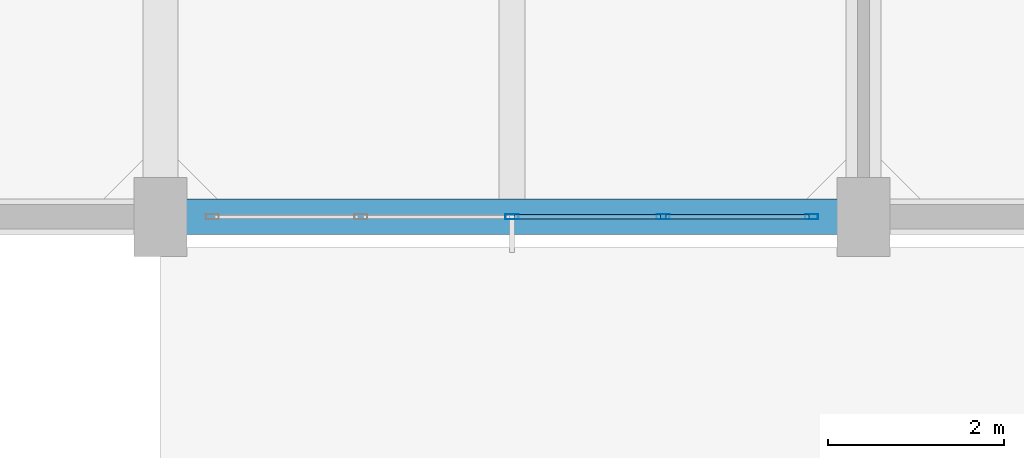
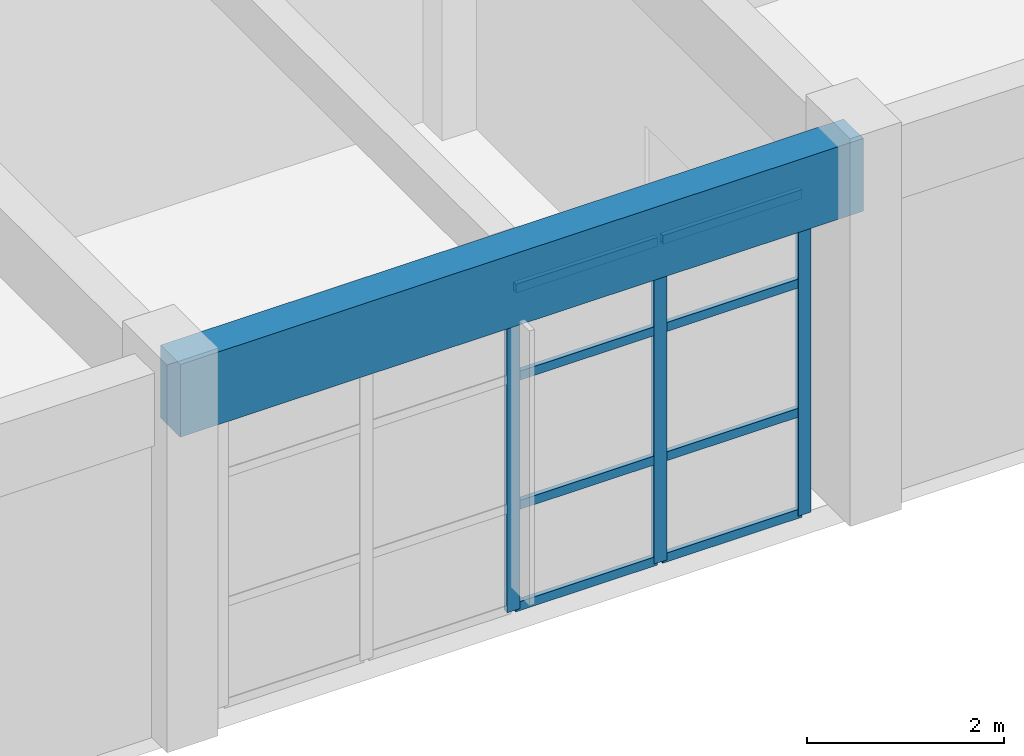
# One storey, part 24 of 63: 11 members, 1 beam, 1 element without a shape of its own.
"""IFC4 building model written with IfcOpenShell, lengths in metres."""

from ifc_helpers import new_model, si_unit, direction, frame, origin, origin_2d, place, context, subcontext, project, spatial, rectangle, hollow_rectangle, extrude, material, layer, layer_set, material_profile, profile_set, type_object, element, aggregate, save


model = new_model("IFC4")

# Units and contexts
model_context = context("Model", 3, precision=1e-05, world=origin(), true_north=direction((0.0, 1.0)))
body_context = subcontext(model_context, "Body", "Model", "MODEL_VIEW")
ifc_project = project(units=[si_unit("LENGTHUNIT", "METRE"), si_unit("AREAUNIT", "SQUARE_METRE"), si_unit("VOLUMEUNIT", "CUBIC_METRE"), si_unit("PLANEANGLEUNIT", "RADIAN"), si_unit("MASSUNIT", "GRAM", prefix="KILO")], contexts=[model_context])

# Site, building, storey
site_placement = place(None, origin())
site = spatial("IfcSite", under=ifc_project, at=site_placement, CompositionType="ELEMENT")
building_placement = place(site_placement, origin())
building = spatial("IfcBuilding", under=site, at=building_placement, Name="Canggui Botanical Conservatory", CompositionType="ELEMENT")
storey_placement = place(building_placement, frame((0.0, 0.0, 10.199951171875)))
storey = spatial("IfcBuildingStorey", under=building, at=storey_placement, Name="L03", CompositionType="ELEMENT", Elevation=10.199951171875)

# Beam
ifc_material_1 = material(Name="Concrete C35", Category="concrete")
ifc_material_profile_1 = material_profile(ifc_material_1, rectangle(XDim=0.39990234375, YDim=0.89990234375, at=origin_2d()), Name="RB 400x900")
ifc_profile_set_1 = profile_set([ifc_material_profile_1], Name="Concrete C35")
beam_type = type_object("IfcBeamType", Name="BM-KL07", PredefinedType="BEAM", material=ifc_profile_set_1)
beam_placement = place(storey_placement, frame((154.0, 26.0, 4.10009765625), z_axis=(1.0, 0.0, 0.0), x_axis=(0.0, 1.0, 0.0)))
element("IfcBeam", 1, at=beam_placement, inside=storey, type_object=beam_type, Name="Frame Girder L03 Y26-3", PredefinedType="BEAM", context=body_context, shape_type="SweptSolid", body=[
    extrude(rectangle(XDim=0.39990234375, YDim=0.89990234375, at=origin_2d()), origin(), (0.0, 0.0, 1.0), 8.0),
])

# Curtain wall, members
ifc_material_2 = material(Name="Thermally Broken Aluminium", Category="aluminium")
ifc_layer = layer(ifc_material_2, 0.14990234375, Name="Thermally Broken Aluminium", Category="aluminium")
ifc_layer_set = layer_set([ifc_layer], Name="Thermally Broken Aluminium")
curtain_wall_type = type_object("IfcCurtainWallType", Name="CW-UNIT-C", PredefinedType="USERDEFINED", material=ifc_layer_set)
curtain_wall_placement = place(storey_placement, origin())
curtain_wall = element("IfcCurtainWall", 2, at=curtain_wall_placement, inside=storey, type_object=curtain_wall_type, Name="Facade Curtain Wall CW-TWR-L03-03", ObjectType="UNITISED CURTAIN WALL", PredefinedType="USERDEFINED")
ifc_material_profile_2 = material_profile(ifc_material_2, hollow_rectangle(XDim=0.06005859375, YDim=0.14990234375, WallThickness=0.00341796875, at=origin_2d()), Name="CWM 60x150x3.5")
ifc_profile_set_2 = profile_set([ifc_material_profile_2], Name="Thermally Broken Aluminium")
member_type_1 = type_object("IfcMemberType", Name="CWM-03", PredefinedType="MULLION", material=ifc_profile_set_2)
member_1_placement = place(storey_placement, frame((161.409912109375, 26.0, 0.0), z_axis=(0.0, 0.0, 1.0), x_axis=(0.0, -1.0, 0.0)))
member_1 = element("IfcMember", 3, at=member_1_placement, type_object=member_type_1, Name="CW-03 mullion 1", PredefinedType="MULLION", context=body_context, shape_type="SweptSolid", body=[
    extrude(hollow_rectangle(XDim=0.06005859375, YDim=0.14990234375, WallThickness=0.00341796875, at=origin_2d()), origin(), (0.0, 0.0, 1.0), 4.0),
])
member_2_placement = place(storey_placement, frame((159.719970703125, 26.0, 0.0), z_axis=(0.0, 0.0, 1.0), x_axis=(0.0, -1.0, 0.0)))
member_2 = element("IfcMember", 4, at=member_2_placement, type_object=member_type_1, Name="CW-03 mullion 2", PredefinedType="MULLION", context=body_context, shape_type="SweptSolid", body=[
    extrude(hollow_rectangle(XDim=0.06005859375, YDim=0.14990234375, WallThickness=0.00341796875, at=origin_2d()), origin(), (0.0, 0.0, 1.0), 4.0),
])
member_3_placement = place(storey_placement, frame((158.0, 26.0, 0.0), z_axis=(0.0, 0.0, 1.0), x_axis=(0.0, -1.0, 0.0)))
member_3 = element("IfcMember", 5, at=member_3_placement, type_object=member_type_1, Name="CW-03 mullion 3", PredefinedType="MULLION", context=body_context, shape_type="SweptSolid", body=[
    extrude(hollow_rectangle(XDim=0.06005859375, YDim=0.14990234375, WallThickness=0.00341796875, at=origin_2d()), origin(), (0.0, 0.0, 1.0), 4.0),
])
ifc_material_profile_3 = material_profile(ifc_material_2, hollow_rectangle(XDim=0.054931640625, YDim=0.110107421875, WallThickness=0.0029296875, at=origin_2d()), Name="CWT 55x110x3")
ifc_profile_set_3 = profile_set([ifc_material_profile_3], Name="Thermally Broken Aluminium")
member_type_2 = type_object("IfcMemberType", Name="CWT-03", PredefinedType="USERDEFINED", material=ifc_profile_set_3)
member_4_placement = place(storey_placement, frame((161.3798828125, 26.0, 0.027587890625), z_axis=(-1.0, 0.0, 0.0), x_axis=(0.0, -1.0, 0.0)))
member_4 = element("IfcMember", 6, at=member_4_placement, type_object=member_type_2, Name="CW-03 transom 1.1", ObjectType="TRANSOM", PredefinedType="USERDEFINED", context=body_context, shape_type="SweptSolid", body=[
    extrude(hollow_rectangle(XDim=0.054931640625, YDim=0.110107421875, WallThickness=0.0029296875, at=origin_2d()), origin(), (0.0, 0.0, 1.0), 1.6298828125),
])
member_5_placement = place(storey_placement, frame((161.3798828125, 26.0, 1.280029296875), z_axis=(-1.0, 0.0, 0.0), x_axis=(0.0, -1.0, 0.0)))
member_5 = element("IfcMember", 7, at=member_5_placement, type_object=member_type_2, Name="CW-03 transom 1.2", ObjectType="TRANSOM", PredefinedType="USERDEFINED", context=body_context, shape_type="SweptSolid", body=[
    extrude(hollow_rectangle(XDim=0.054931640625, YDim=0.110107421875, WallThickness=0.0029296875, at=origin_2d()), origin(), (0.0, 0.0, 1.0), 1.6298828125),
])
member_6_placement = place(storey_placement, frame((161.3798828125, 26.0, 2.880126953125), z_axis=(-1.0, 0.0, 0.0), x_axis=(0.0, -1.0, 0.0)))
member_6 = element("IfcMember", 8, at=member_6_placement, type_object=member_type_2, Name="CW-03 transom 1.3", ObjectType="TRANSOM", PredefinedType="USERDEFINED", context=body_context, shape_type="SweptSolid", body=[
    extrude(hollow_rectangle(XDim=0.054931640625, YDim=0.110107421875, WallThickness=0.0029296875, at=origin_2d()), origin(), (0.0, 0.0, 1.0), 1.6298828125),
])
member_7_placement = place(storey_placement, frame((161.3798828125, 26.0, 3.97265625), z_axis=(-1.0, 0.0, 0.0), x_axis=(0.0, -1.0, 0.0)))
member_7 = element("IfcMember", 9, at=member_7_placement, type_object=member_type_2, Name="CW-03 transom 1.4", ObjectType="TRANSOM", PredefinedType="USERDEFINED", context=body_context, shape_type="SweptSolid", body=[
    extrude(hollow_rectangle(XDim=0.054931640625, YDim=0.110107421875, WallThickness=0.0029296875, at=origin_2d()), origin(), (0.0, 0.0, 1.0), 1.6298828125),
])
member_8_placement = place(storey_placement, frame((159.68994140625, 26.0, 0.027587890625), z_axis=(-1.0, 0.0, 0.0), x_axis=(0.0, -1.0, 0.0)))
member_8 = element("IfcMember", 10, at=member_8_placement, type_object=member_type_2, Name="CW-03 transom 2.1", ObjectType="TRANSOM", PredefinedType="USERDEFINED", context=body_context, shape_type="SweptSolid", body=[
    extrude(hollow_rectangle(XDim=0.054931640625, YDim=0.110107421875, WallThickness=0.0029296875, at=origin_2d()), origin(), (0.0, 0.0, 1.0), 1.659912109375),
])
member_9_placement = place(storey_placement, frame((159.68994140625, 26.0, 1.280029296875), z_axis=(-1.0, 0.0, 0.0), x_axis=(0.0, -1.0, 0.0)))
member_9 = element("IfcMember", 11, at=member_9_placement, type_object=member_type_2, Name="CW-03 transom 2.2", ObjectType="TRANSOM", PredefinedType="USERDEFINED", context=body_context, shape_type="SweptSolid", body=[
    extrude(hollow_rectangle(XDim=0.054931640625, YDim=0.110107421875, WallThickness=0.0029296875, at=origin_2d()), origin(), (0.0, 0.0, 1.0), 1.659912109375),
])
member_10_placement = place(storey_placement, frame((159.68994140625, 26.0, 2.880126953125), z_axis=(-1.0, 0.0, 0.0), x_axis=(0.0, -1.0, 0.0)))
member_10 = element("IfcMember", 12, at=member_10_placement, type_object=member_type_2, Name="CW-03 transom 2.3", ObjectType="TRANSOM", PredefinedType="USERDEFINED", context=body_context, shape_type="SweptSolid", body=[
    extrude(hollow_rectangle(XDim=0.054931640625, YDim=0.110107421875, WallThickness=0.0029296875, at=origin_2d()), origin(), (0.0, 0.0, 1.0), 1.659912109375),
])
member_11_placement = place(storey_placement, frame((159.68994140625, 26.0, 3.97265625), z_axis=(-1.0, 0.0, 0.0), x_axis=(0.0, -1.0, 0.0)))
member_11 = element("IfcMember", 13, at=member_11_placement, type_object=member_type_2, Name="CW-03 transom 2.4", ObjectType="TRANSOM", PredefinedType="USERDEFINED", context=body_context, shape_type="SweptSolid", body=[
    extrude(hollow_rectangle(XDim=0.054931640625, YDim=0.110107421875, WallThickness=0.0029296875, at=origin_2d()), origin(), (0.0, 0.0, 1.0), 1.659912109375),
])
aggregate(curtain_wall, [member_1, member_2, member_3, member_4, member_5, member_6, member_7, member_8, member_9, member_10, member_11])

save(model, "model.ifc")
